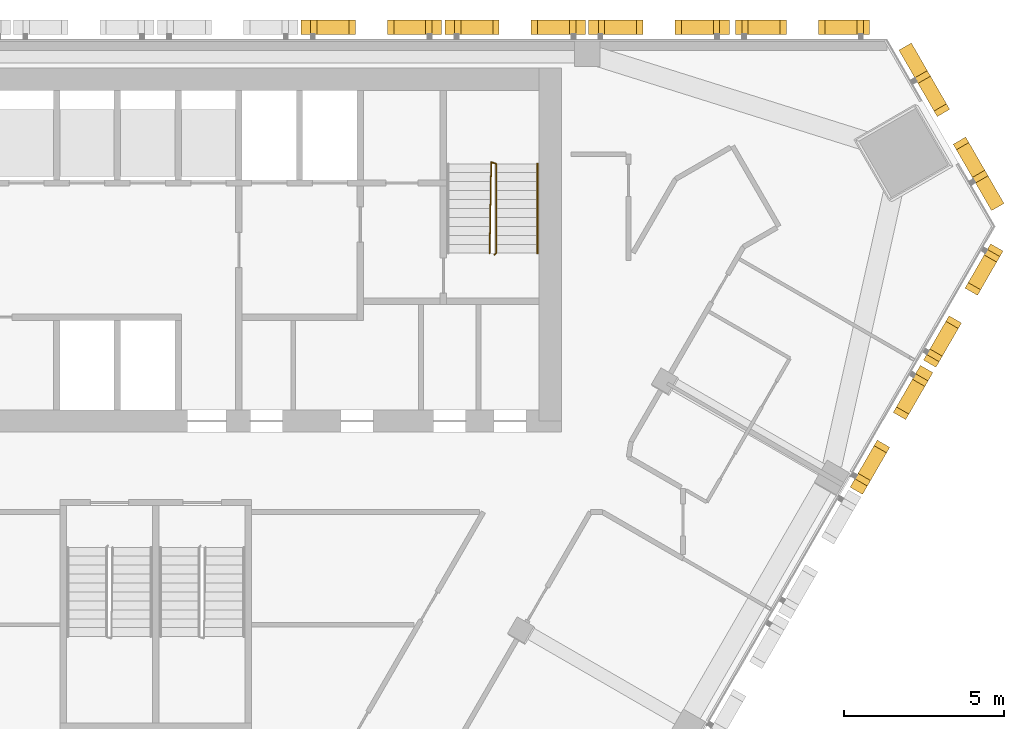
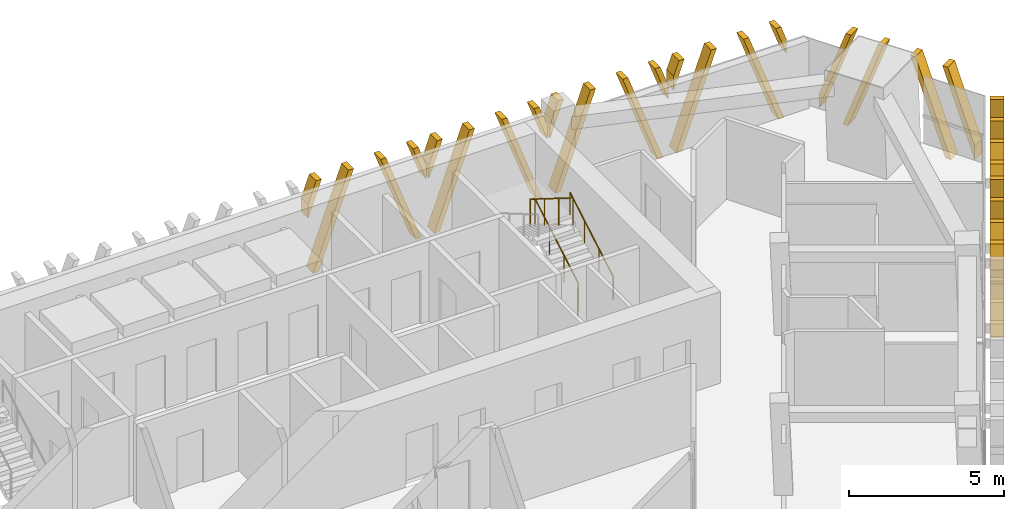
# One storey, part 15 of 16: 7 shading devices, 2 railings.
"""IFC4 building model written with IfcOpenShell, lengths in metres."""

from ifc_helpers import new_model, si_unit, direction, frame, origin, origin_2d, place, context, subcontext, project, spatial, polyline, circle, outline, extrude, source, transform, mapped, material, type_object, element, save


model = new_model("IFC4")

# Units and contexts
model_context = context("Model", 3, precision=1e-05, world=origin(), true_north=direction((0.0, 1.0)))
body_context = subcontext(model_context, "Body", "Model", "MODEL_VIEW")
ifc_project = project(units=[si_unit("LENGTHUNIT", "METRE"), si_unit("AREAUNIT", "SQUARE_METRE"), si_unit("VOLUMEUNIT", "CUBIC_METRE"), si_unit("PLANEANGLEUNIT", "RADIAN"), si_unit("MASSUNIT", "GRAM", prefix="KILO")], contexts=[model_context])

# Site, building, storey
site_placement = place(None, origin())
site = spatial("IfcSite", under=ifc_project, at=site_placement, CompositionType="ELEMENT")
building_placement = place(site_placement, origin())
building = spatial("IfcBuilding", under=site, at=building_placement, Name="Altiplano Prism Tower", CompositionType="ELEMENT")
storey_placement = place(building_placement, frame((0.0, 0.0, 178.199951171875)))
storey = spatial("IfcBuildingStorey", under=building, at=storey_placement, Name="L46", CompositionType="ELEMENT", Elevation=178.199951171875)

# Railings
ifc_material_1 = material(Name="Steel S355", Category="steel")
railing_type_1 = type_object("IfcRailingType", Name="Stair guard 1100", PredefinedType="GUARDRAIL", material=ifc_material_1)
railing_1_placement = place(storey_placement, frame((95.60009765625, 98.25, 0.0)))
element("IfcRailing", 1, at=railing_1_placement, inside=storey, type_object=railing_type_1, Name="L46 ST2 stair guard 1", PredefinedType="GUARDRAIL", context=body_context, shape_type="SweptSolid", body=[
    extrude(circle(Radius=0.02392578125, at=origin_2d()), frame((0.0, 0.0, 1.076171875), z_axis=(0.279546231943, 0.280916556609, 0.91811752648), x_axis=(-0.708833529934, 0.705375805398, 0.0)), (0.0, 0.0, 1.0), 0.17822265625),
    extrude(circle(Radius=0.02392578125, at=origin_2d()), frame((0.0498046875, 0.050048828125, 1.23974609375), z_axis=(0.0, 0.863360870873, 0.504586966384), x_axis=(-1.0, 0.0, 0.0)), (0.0, 0.0, 1.0), 3.2431640625),
    extrude(circle(Radius=0.02392578125, at=origin_2d()), frame((0.0498046875, 2.85009765625, 2.8759765625), z_axis=(-0.948991962702, 0.315300261223, 0.0), x_axis=(-0.315300261223, -0.948991962702, 0.0)), (0.0, 0.0, 1.0), 0.157958984375),
    extrude(circle(Radius=0.02392578125, at=origin_2d()), frame((-0.10009765625, 2.89990234375, 2.8759765625), z_axis=(-0.014846418356, -0.845376787675, 0.533964109957), x_axis=(0.999845825584, -0.017559187376, 0.0)), (0.0, 0.0, 1.0), 3.37109375),
    extrude(circle(Radius=0.02099609375, at=origin_2d()), origin(), (0.0, 0.0, 1.0), 1.052001953125),
    extrude(circle(Radius=0.02099609375, at=origin_2d()), frame((0.0498046875, 0.050048828125, 0.16357421875)), (0.0, 0.0, 1.0), 1.052001953125),
    extrude(circle(Radius=0.02099609375, at=origin_2d()), frame((0.0498046875, 0.9833984375, 0.708984375)), (0.0, 0.0, 1.0), 1.052001953125),
    extrude(circle(Radius=0.02099609375, at=origin_2d()), frame((0.0498046875, 1.916748046875, 1.254638671875)), (0.0, 0.0, 1.0), 1.052001953125),
    extrude(circle(Radius=0.02099609375, at=origin_2d()), frame((0.0498046875, 2.85009765625, 1.800048828125)), (0.0, 0.0, 1.0), 1.052001953125),
    extrude(circle(Radius=0.02099609375, at=origin_2d()), frame((-0.10009765625, 2.89990234375, 1.800048828125)), (0.0, 0.0, 1.0), 1.052001953125),
    extrude(circle(Radius=0.02099609375, at=origin_2d()), frame((-0.11669921875, 1.949951171875, 2.400146484375)), (0.0, 0.0, 1.0), 1.052001953125),
    extrude(circle(Radius=0.02099609375, at=origin_2d()), frame((-0.133544921875, 1.0, 3.0)), (0.0, 0.0, 1.0), 1.052001953125),
    extrude(circle(Radius=0.02099609375, at=origin_2d()), frame((-0.150146484375, 0.050048828125, 3.60009765625)), (0.0, 0.0, 1.0), 1.052001953125),
])
railing_type_2 = type_object("IfcRailingType", Name="Stair handrail 900", PredefinedType="HANDRAIL", material=ifc_material_1)
railing_2_placement = place(storey_placement, frame((96.949951171875, 98.300048828125, 0.16357421875)))
element("IfcRailing", 2, at=railing_2_placement, inside=storey, type_object=railing_type_2, Name="L46 ST2 stair handrail 1", PredefinedType="HANDRAIL", context=body_context, shape_type="SweptSolid", body=[
    extrude(circle(Radius=0.02392578125, at=origin_2d()), frame((0.0, 0.0, 0.8759765625), z_axis=(0.0, 0.863360870873, 0.504586966384), x_axis=(-1.0, 0.0, 0.0)), (0.0, 0.0, 1.0), 3.2431640625),
    extrude(circle(Radius=0.02099609375, at=origin_2d()), origin(), (0.0, 0.0, 1.0), 0.851806640625),
    extrude(circle(Radius=0.02099609375, at=origin_2d()), frame((0.0, 0.933349609375, 0.54541015625)), (0.0, 0.0, 1.0), 0.851806640625),
    extrude(circle(Radius=0.02099609375, at=origin_2d()), frame((0.0, 1.86669921875, 1.091064453125)), (0.0, 0.0, 1.0), 0.851806640625),
    extrude(circle(Radius=0.02099609375, at=origin_2d()), frame((0.0, 2.800048828125, 1.636474609375)), (0.0, 0.0, 1.0), 0.851806640625),
])

# Shading devices
ifc_material_2 = material(Name="Warm limestone cast stone", Category="masonry")
shading_device_type_1 = type_object("IfcShadingDeviceType", Name="Stone fin panel, standard unit", PredefinedType="USERDEFINED", material=ifc_material_2)
shared_shape_1 = source(origin(), body_context, "Body", "SweptSolid", [
    extrude(outline(polyline([(-2.199951171875, 2.226318359375), (-1.699951171875, 3.60009765625), (-1.89990234375, 3.60009765625), (-2.199951171875, 2.77587890625), (-2.199951171875, 2.226318359375)])), frame((0.0, -0.14990234375, 0.0), z_axis=(0.0, -1.0, 0.0), x_axis=(1.0, 0.0, 0.0)), (0.0, 0.0, 1.0), 0.4501953125),
    extrude(outline(polyline([(-2.01025390625, 0.0), (-1.810302734375, 0.0), (-0.5, 3.60009765625), (-0.699951171875, 3.60009765625), (-2.01025390625, 0.0)])), frame((0.0, -0.14990234375, 0.0), z_axis=(0.0, -1.0, 0.0), x_axis=(1.0, 0.0, 0.0)), (0.0, 0.0, 1.0), 0.4501953125),
    extrude(outline(polyline([(1.810302734375, 0.0), (2.01025390625, 0.0), (0.699951171875, 3.60009765625), (0.5, 3.60009765625), (1.810302734375, 0.0)])), frame((0.0, -0.14990234375, 0.0), z_axis=(0.0, -1.0, 0.0), x_axis=(1.0, 0.0, 0.0)), (0.0, 0.0, 1.0), 0.4501953125),
    extrude(outline(polyline([(2.199951171875, 2.77587890625), (1.89990234375, 3.60009765625), (1.699951171875, 3.60009765625), (2.199951171875, 2.226318359375), (2.199951171875, 2.77587890625)])), frame((0.0, -0.14990234375, 0.0), z_axis=(0.0, -1.0, 0.0), x_axis=(1.0, 0.0, 0.0)), (0.0, 0.0, 1.0), 0.4501953125),
])
shading_device_1_placement = place(storey_placement, origin())
element("IfcShadingDevice", 3, at=shading_device_1_placement, inside=storey, type_object=shading_device_type_1, Name="Fin L46 north face 2", ObjectType="FIN", PredefinedType="USERDEFINED", context=body_context, shape_type="MappedRepresentation", body=[
    mapped(shared_shape_1, transform((100.75, 105.0, -0.449951171875), x_axis=(-1.0, 0.0, 0.0), y_axis=(0.0, -1.0, 0.0), z_axis=(0.0, 0.0, 1.0))),
])
shading_device_2_placement = place(storey_placement, origin())
element("IfcShadingDevice", 4, at=shading_device_2_placement, inside=storey, type_object=shading_device_type_1, Name="Fin L46 north face 3", ObjectType="FIN", PredefinedType="USERDEFINED", context=body_context, shape_type="MappedRepresentation", body=[
    mapped(shared_shape_1, transform((96.25, 105.0, -0.449951171875), x_axis=(-1.0, 0.0, 0.0), y_axis=(0.0, -1.0, 0.0), z_axis=(0.0, 0.0, 1.0))),
])
shading_device_3_placement = place(storey_placement, origin())
element("IfcShadingDevice", 5, at=shading_device_3_placement, inside=storey, type_object=shading_device_type_1, Name="Fin L46 north face 4", ObjectType="FIN", PredefinedType="USERDEFINED", context=body_context, shape_type="MappedRepresentation", body=[
    mapped(shared_shape_1, transform((91.75, 105.0, -0.449951171875), x_axis=(-1.0, 0.0, 0.0), y_axis=(0.0, -1.0, 0.0), z_axis=(0.0, 0.0, 1.0))),
])
shading_device_4_placement = place(storey_placement, origin())
element("IfcShadingDevice", 6, at=shading_device_4_placement, inside=storey, type_object=shading_device_type_1, Name="Fin L46 south-east face 9", ObjectType="FIN", PredefinedType="USERDEFINED", context=body_context, shape_type="MappedRepresentation", body=[
    mapped(shared_shape_1, transform((107.701904296875, 92.958740234375, -0.449951171875), x_axis=(0.499999996041, 0.86602540607, 0.0), y_axis=(-0.86602540607, 0.499999996041, 0.0), z_axis=(0.0, 0.0, 1.0))),
])
shading_device_type_2 = type_object("IfcShadingDeviceType", Name="Stone fin panel, wide closing bay", PredefinedType="USERDEFINED", material=ifc_material_2)
shared_shape_2 = source(origin(), body_context, "Body", "SweptSolid", [
    extrude(outline(polyline([(-2.10009765625, 2.5009765625), (-1.699951171875, 3.60009765625), (-1.89990234375, 3.60009765625), (-2.10009765625, 3.050537109375), (-2.10009765625, 2.5009765625)])), frame((0.0, -0.14990234375, 0.0), z_axis=(0.0, -1.0, 0.0), x_axis=(1.0, 0.0, 0.0)), (0.0, 0.0, 1.0), 0.4501953125),
    extrude(outline(polyline([(-2.01025390625, 0.0), (-1.810302734375, 0.0), (-0.5, 3.60009765625), (-0.699951171875, 3.60009765625), (-2.01025390625, 0.0)])), frame((0.0, -0.14990234375, 0.0), z_axis=(0.0, -1.0, 0.0), x_axis=(1.0, 0.0, 0.0)), (0.0, 0.0, 1.0), 0.4501953125),
    extrude(outline(polyline([(1.810302734375, 0.0), (2.01025390625, 0.0), (0.699951171875, 3.60009765625), (0.5, 3.60009765625), (1.810302734375, 0.0)])), frame((0.0, -0.14990234375, 0.0), z_axis=(0.0, -1.0, 0.0), x_axis=(1.0, 0.0, 0.0)), (0.0, 0.0, 1.0), 0.4501953125),
    extrude(outline(polyline([(2.10009765625, 3.050537109375), (1.89990234375, 3.60009765625), (1.699951171875, 3.60009765625), (2.10009765625, 2.5009765625), (2.10009765625, 3.050537109375)])), frame((0.0, -0.14990234375, 0.0), z_axis=(0.0, -1.0, 0.0), x_axis=(1.0, 0.0, 0.0)), (0.0, 0.0, 1.0), 0.4501953125),
])
shading_device_5_placement = place(storey_placement, origin())
element("IfcShadingDevice", 7, at=shading_device_5_placement, inside=storey, type_object=shading_device_type_2, Name="Fin L46 north face 1", ObjectType="FIN", PredefinedType="USERDEFINED", context=body_context, shape_type="MappedRepresentation", body=[
    mapped(shared_shape_2, transform((105.243408203125, 105.0, -0.449951171875), x_axis=(-1.0, 0.0, 0.0), y_axis=(0.0, -1.0, 0.0), z_axis=(0.0, 0.0, 1.0))),
])
shading_device_6_placement = place(storey_placement, origin())
element("IfcShadingDevice", 8, at=shading_device_6_placement, inside=storey, type_object=shading_device_type_2, Name="Fin L46 south-east face 10", ObjectType="FIN", PredefinedType="USERDEFINED", context=body_context, shape_type="MappedRepresentation", body=[
    mapped(shared_shape_2, transform((109.94873046875, 96.85009765625, -0.449951171875), x_axis=(0.499999996041, 0.86602540607, 0.0), y_axis=(-0.86602540607, 0.499999996041, 0.0), z_axis=(0.0, 0.0, 1.0))),
])
shading_device_type_3 = type_object("IfcShadingDeviceType", Name="Stone fin panel, chamfer unit", PredefinedType="USERDEFINED", material=ifc_material_2)
shared_shape_3 = source(origin(), body_context, "Body", "SweptSolid", [
    extrude(outline(polyline([(-2.89990234375, 0.302978515625), (-1.699951171875, 3.60009765625), (-1.89990234375, 3.60009765625), (-2.89990234375, 0.8525390625), (-2.89990234375, 0.302978515625)])), frame((0.0, -0.14990234375, 0.0), z_axis=(0.0, -1.0, 0.0), x_axis=(1.0, 0.0, 0.0)), (0.0, 0.0, 1.0), 0.4501953125),
    extrude(outline(polyline([(-2.01025390625, 0.0), (-1.810302734375, 0.0), (-0.5, 3.60009765625), (-0.699951171875, 3.60009765625), (-2.01025390625, 0.0)])), frame((0.0, -0.14990234375, 0.0), z_axis=(0.0, -1.0, 0.0), x_axis=(1.0, 0.0, 0.0)), (0.0, 0.0, 1.0), 0.4501953125),
    extrude(outline(polyline([(1.810302734375, 0.0), (2.01025390625, 0.0), (0.699951171875, 3.60009765625), (0.5, 3.60009765625), (1.810302734375, 0.0)])), frame((0.0, -0.14990234375, 0.0), z_axis=(0.0, -1.0, 0.0), x_axis=(1.0, 0.0, 0.0)), (0.0, 0.0, 1.0), 0.4501953125),
    extrude(outline(polyline([(2.89990234375, 0.8525390625), (1.89990234375, 3.60009765625), (1.699951171875, 3.60009765625), (2.89990234375, 0.302978515625), (2.89990234375, 0.8525390625)])), frame((0.0, -0.14990234375, 0.0), z_axis=(0.0, -1.0, 0.0), x_axis=(1.0, 0.0, 0.0)), (0.0, 0.0, 1.0), 0.4501953125),
])
shading_device_7_placement = place(storey_placement, origin())
element("IfcShadingDevice", 9, at=shading_device_7_placement, inside=storey, type_object=shading_device_type_3, Name="Fin L46 north-east chamfer 1", ObjectType="FIN", PredefinedType="USERDEFINED", context=body_context, shape_type="MappedRepresentation", body=[
    mapped(shared_shape_3, transform((109.57861328125, 102.069580078125, -0.449951171875), x_axis=(-0.500000022036, 0.866025391062, 0.0), y_axis=(-0.866025391062, -0.500000022036, 0.0), z_axis=(0.0, 0.0, 1.0))),
])

save(model, "model.ifc")
